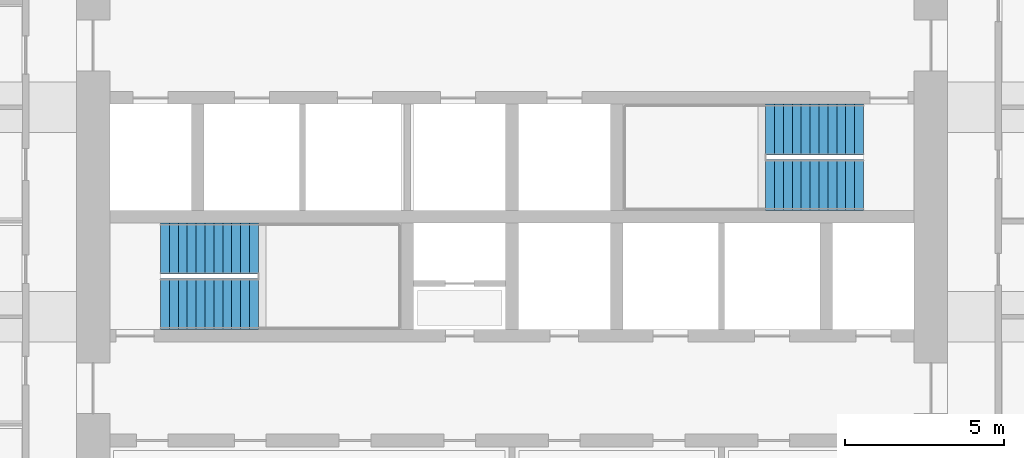
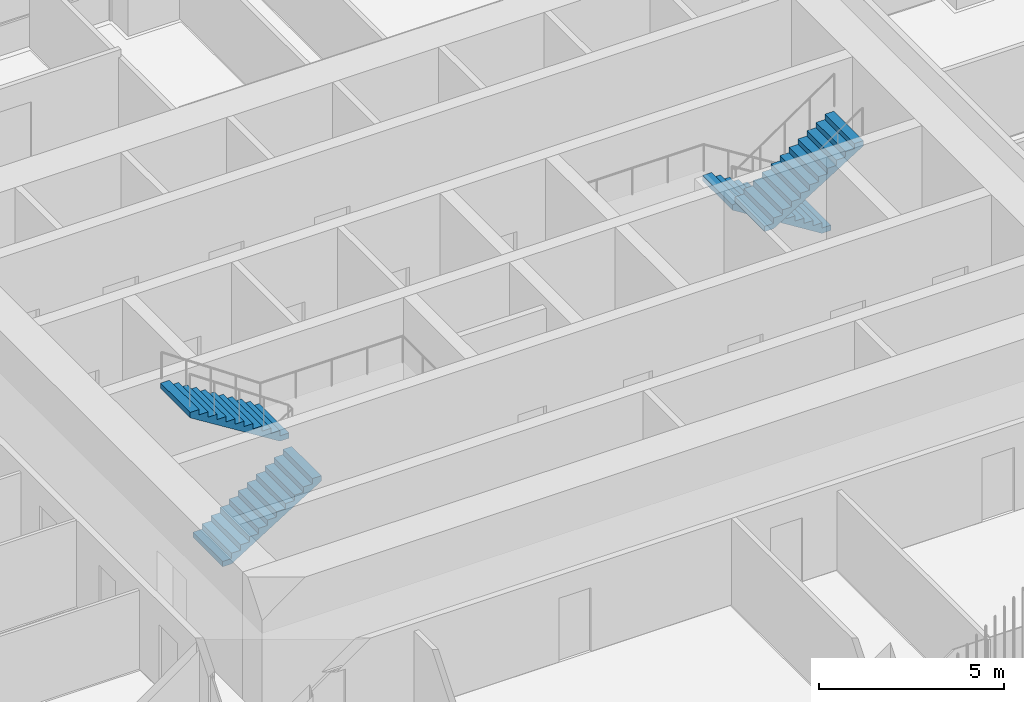
# One storey, part 15 of 20: 4 stair flights, 2 elements without a shape of their own.
"""IFC4 building model written with IfcOpenShell, lengths in metres."""

from ifc_helpers import new_model, si_unit, direction, frame, origin, place, context, subcontext, project, spatial, polyline, outline, extrude, material, type_object, element, aggregate, save


model = new_model("IFC4")

# Units and contexts
model_context = context("Model", 3, precision=1e-05, world=origin(), true_north=direction((0.0, 1.0)))
body_context = subcontext(model_context, "Body", "Model", "MODEL_VIEW")
ifc_project = project(units=[si_unit("LENGTHUNIT", "METRE"), si_unit("AREAUNIT", "SQUARE_METRE"), si_unit("VOLUMEUNIT", "CUBIC_METRE"), si_unit("PLANEANGLEUNIT", "RADIAN"), si_unit("MASSUNIT", "GRAM", prefix="KILO")], contexts=[model_context])

# Site, building, storey
site_placement = place(None, origin())
site = spatial("IfcSite", under=ifc_project, at=site_placement, CompositionType="ELEMENT")
building_placement = place(site_placement, origin())
building = spatial("IfcBuilding", under=site, at=building_placement, Name="Cobogo Forest Laboratory Tower", CompositionType="ELEMENT")
storey_placement = place(building_placement, frame((0.0, 0.0, 210.300048828125)))
storey = spatial("IfcBuildingStorey", under=building, at=storey_placement, Name="L48", CompositionType="ELEMENT", Elevation=210.300048828125)

# Stair, stair flights
ifc_material = material(Name="Precast concrete HA-40 (C40/50)", Category="concrete")
stair_type = type_object("IfcStairType", Name="ST24 exit stair 24 risers", PredefinedType="HALF_TURN_STAIR", material=ifc_material)
stair_1_placement = place(storey_placement, origin())
stair_1 = element("IfcStair", 1, at=stair_1_placement, inside=storey, type_object=stair_type, Name="Stair 1 L48 to L49", PredefinedType="HALF_TURN_STAIR")
stair_flight_type = type_object("IfcStairFlightType", Name="ST stair flight 280 going", PredefinedType="STRAIGHT", material=ifc_material)
stair_flight_1_placement = place(storey_placement, frame((15.324951171875, 20.199951171875, 0.0), z_axis=(0.0, 0.0, 1.0), x_axis=(1.0, 0.0, 0.0)))
stair_flight_1 = element("IfcStairFlight", 2, at=stair_flight_1_placement, type_object=stair_flight_type, Name="ST1 flight 1", NumberOfRisers=12, NumberOfTreads=11, PredefinedType="STRAIGHT", RiserHeight=0.175, TreadLength=0.28, context=body_context, shape_type="SweptSolid", body=[
    extrude(outline(polyline([(0.0, 0.0), (0.0, 0.175048828125), (0.280029296875, 0.175048828125), (0.280029296875, 0.35009765625), (0.56005859375, 0.35009765625), (0.56005859375, 0.52490234375), (0.840087890625, 0.52490234375), (0.840087890625, 0.699951171875), (1.1201171875, 0.699951171875), (1.1201171875, 0.875), (1.39990234375, 0.875), (1.39990234375, 1.050048828125), (1.679931640625, 1.050048828125), (1.679931640625, 1.22509765625), (1.9599609375, 1.22509765625), (1.9599609375, 1.39990234375), (2.239990234375, 1.39990234375), (2.239990234375, 1.574951171875), (2.52001953125, 1.574951171875), (2.52001953125, 1.75), (2.800048828125, 1.75), (2.800048828125, 1.925048828125), (3.080078125, 1.925048828125), (3.080078125, 2.10009765625), (3.080078125, 1.748291015625), (0.28271484375, 0.0), (0.0, 0.0)])), frame((0.0, 0.800048828125, 0.0), z_axis=(0.0, -1.0, 0.0), x_axis=(1.0, 0.0, 0.0)), (0.0, 0.0, 1.0), 1.60009765625),
])
stair_flight_2_placement = place(storey_placement, frame((18.405029296875, 21.949951171875, 2.099853515625), z_axis=(0.0, 0.0, 1.0), x_axis=(-1.0, 0.0, 0.0)))
stair_flight_2 = element("IfcStairFlight", 3, at=stair_flight_2_placement, type_object=stair_flight_type, Name="ST1 flight 2", NumberOfRisers=12, NumberOfTreads=11, PredefinedType="STRAIGHT", RiserHeight=0.175, TreadLength=0.28, context=body_context, shape_type="SweptSolid", body=[
    extrude(outline(polyline([(0.0, 0.0), (0.0, 0.175048828125), (0.280029296875, 0.175048828125), (0.280029296875, 0.35009765625), (0.56005859375, 0.35009765625), (0.56005859375, 0.52490234375), (0.840087890625, 0.52490234375), (0.840087890625, 0.699951171875), (1.1201171875, 0.699951171875), (1.1201171875, 0.875), (1.39990234375, 0.875), (1.39990234375, 1.050048828125), (1.679931640625, 1.050048828125), (1.679931640625, 1.22509765625), (1.9599609375, 1.22509765625), (1.9599609375, 1.39990234375), (2.239990234375, 1.39990234375), (2.239990234375, 1.574951171875), (2.52001953125, 1.574951171875), (2.52001953125, 1.75), (2.800048828125, 1.75), (2.800048828125, 1.925048828125), (3.080078125, 1.925048828125), (3.080078125, 2.10009765625), (3.080078125, 1.748291015625), (0.28271484375, 0.0), (0.0, 0.0)])), frame((0.0, 0.800048828125, 0.0), z_axis=(0.0, -1.0, 0.0), x_axis=(1.0, 0.0, 0.0)), (0.0, 0.0, 1.0), 1.60009765625),
])
aggregate(stair_1, [stair_flight_1, stair_flight_2])

stair_2_placement = place(storey_placement, origin())
stair_2 = element("IfcStair", 4, at=stair_2_placement, inside=storey, type_object=stair_type, Name="Stair 2 L48 to L49", PredefinedType="HALF_TURN_STAIR")
stair_flight_3_placement = place(storey_placement, frame((37.47509765625, 25.699951171875, 0.0), z_axis=(0.0, 0.0, 1.0), x_axis=(-1.0, 0.0, 0.0)))
stair_flight_3 = element("IfcStairFlight", 5, at=stair_flight_3_placement, type_object=stair_flight_type, Name="ST2 flight 1", NumberOfRisers=12, NumberOfTreads=11, PredefinedType="STRAIGHT", RiserHeight=0.175, TreadLength=0.28, context=body_context, shape_type="SweptSolid", body=[
    extrude(outline(polyline([(0.0, 0.0), (0.0, 0.175048828125), (0.280029296875, 0.175048828125), (0.280029296875, 0.35009765625), (0.56005859375, 0.35009765625), (0.56005859375, 0.52490234375), (0.840087890625, 0.52490234375), (0.840087890625, 0.699951171875), (1.1201171875, 0.699951171875), (1.1201171875, 0.875), (1.39990234375, 0.875), (1.39990234375, 1.050048828125), (1.679931640625, 1.050048828125), (1.679931640625, 1.22509765625), (1.9599609375, 1.22509765625), (1.9599609375, 1.39990234375), (2.239990234375, 1.39990234375), (2.239990234375, 1.574951171875), (2.52001953125, 1.574951171875), (2.52001953125, 1.75), (2.800048828125, 1.75), (2.800048828125, 1.925048828125), (3.080078125, 1.925048828125), (3.080078125, 2.10009765625), (3.080078125, 1.748291015625), (0.28271484375, 0.0), (0.0, 0.0)])), frame((0.0, 0.800048828125, 0.0), z_axis=(0.0, -1.0, 0.0), x_axis=(1.0, 0.0, 0.0)), (0.0, 0.0, 1.0), 1.60009765625),
])
stair_flight_4_placement = place(storey_placement, frame((34.39501953125, 23.949951171875, 2.099853515625), z_axis=(0.0, 0.0, 1.0), x_axis=(1.0, 0.0, 0.0)))
stair_flight_4 = element("IfcStairFlight", 6, at=stair_flight_4_placement, type_object=stair_flight_type, Name="ST2 flight 2", NumberOfRisers=12, NumberOfTreads=11, PredefinedType="STRAIGHT", RiserHeight=0.175, TreadLength=0.28, context=body_context, shape_type="SweptSolid", body=[
    extrude(outline(polyline([(0.0, 0.0), (0.0, 0.175048828125), (0.280029296875, 0.175048828125), (0.280029296875, 0.35009765625), (0.56005859375, 0.35009765625), (0.56005859375, 0.52490234375), (0.840087890625, 0.52490234375), (0.840087890625, 0.699951171875), (1.1201171875, 0.699951171875), (1.1201171875, 0.875), (1.39990234375, 0.875), (1.39990234375, 1.050048828125), (1.679931640625, 1.050048828125), (1.679931640625, 1.22509765625), (1.9599609375, 1.22509765625), (1.9599609375, 1.39990234375), (2.239990234375, 1.39990234375), (2.239990234375, 1.574951171875), (2.52001953125, 1.574951171875), (2.52001953125, 1.75), (2.800048828125, 1.75), (2.800048828125, 1.925048828125), (3.080078125, 1.925048828125), (3.080078125, 2.10009765625), (3.080078125, 1.748291015625), (0.28271484375, 0.0), (0.0, 0.0)])), frame((0.0, 0.800048828125, 0.0), z_axis=(0.0, -1.0, 0.0), x_axis=(1.0, 0.0, 0.0)), (0.0, 0.0, 1.0), 1.60009765625),
])
aggregate(stair_2, [stair_flight_3, stair_flight_4])

save(model, "model.ifc")
